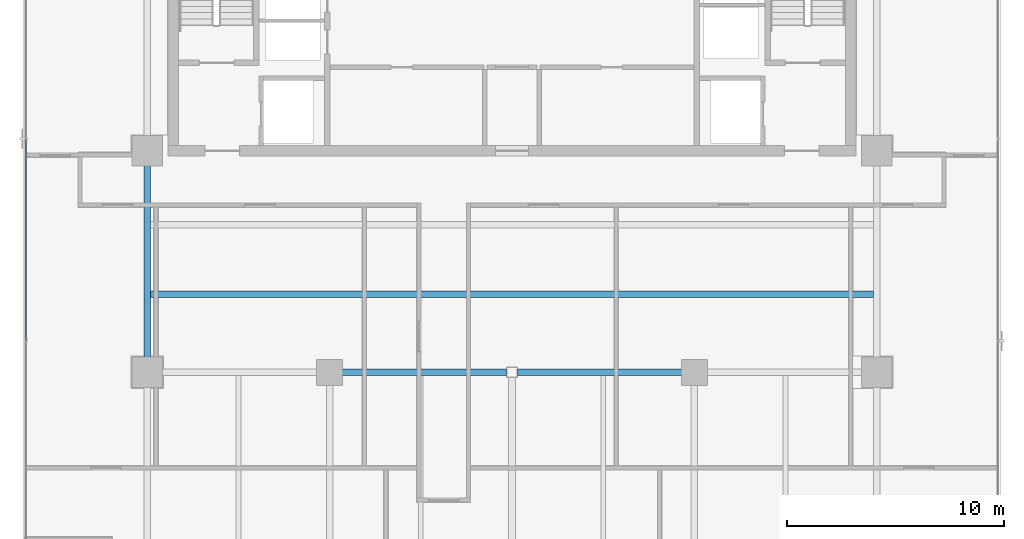
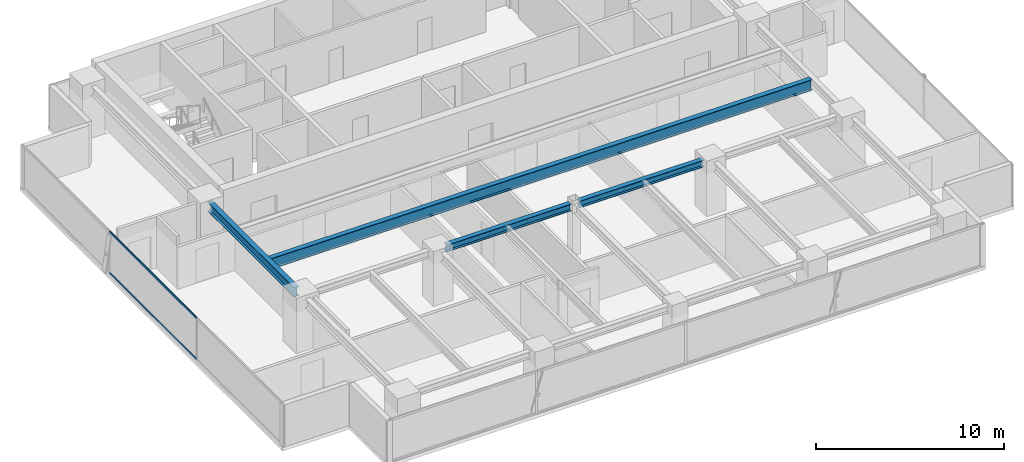
# One storey, part 8 of 26: 4 beams, 2 members, 1 element without a shape of its own.
"""IFC4 building model written with IfcOpenShell, lengths in metres."""

from ifc_helpers import new_model, si_unit, direction, frame, origin, origin_2d, place, context, subcontext, project, spatial, hollow_rectangle, i_section, extrude, source, transform, mapped, material, layer, layer_set, material_profile, profile_set, type_object, element, aggregate, save


model = new_model("IFC4")

# Units and contexts
model_context = context("Model", 3, precision=1e-05, world=origin(), true_north=direction((0.0, 1.0)))
body_context = subcontext(model_context, "Body", "Model", "MODEL_VIEW")
ifc_project = project(units=[si_unit("LENGTHUNIT", "METRE"), si_unit("AREAUNIT", "SQUARE_METRE"), si_unit("VOLUMEUNIT", "CUBIC_METRE"), si_unit("PLANEANGLEUNIT", "RADIAN"), si_unit("MASSUNIT", "GRAM", prefix="KILO")], contexts=[model_context])

# Site, building, storey
site_placement = place(None, origin())
site = spatial("IfcSite", under=ifc_project, at=site_placement, CompositionType="ELEMENT")
building_placement = place(site_placement, origin())
building = spatial("IfcBuilding", under=site, at=building_placement, Name="Sumidabori Civic Tower", CompositionType="ELEMENT")
storey_placement = place(building_placement, frame((0.0, 0.0, 264.800048828125)))
storey = spatial("IfcBuildingStorey", under=building, at=storey_placement, Name="L69", CompositionType="ELEMENT", Elevation=264.800048828125)

# Beams
ifc_material_1 = material(Name="Steel SN490", Category="steel")
ifc_material_profile_1 = material_profile(ifc_material_1, i_section(OverallWidth=0.300048828125, OverallDepth=0.60009765625, WebThickness=0.015380859375, FlangeThickness=0.030029296875, at=origin_2d()), Name="HE 600 B")
ifc_profile_set_1 = profile_set([ifc_material_profile_1], Name="Steel SN490")
beam_type_1 = type_object("IfcBeamType", Name="BM-GIRD-600", PredefinedType="BEAM", material=ifc_profile_set_1)
shared_shape_1 = source(origin(), body_context, "Body", "SweptSolid", [
    extrude(i_section(OverallWidth=0.300048828125, OverallDepth=0.60009765625, WebThickness=0.015380859375, FlangeThickness=0.030029296875, at=origin_2d()), origin(), (0.0, 0.0, 1.0), 9.239990234375),
])
beam_1_placement = place(storey_placement, frame((-16.800048828125, 0.47998046875, 3.070068359375), z_axis=(0.0, 1.0, 0.0), x_axis=(-1.0, 0.0, 0.0)))
element("IfcBeam", 1, at=beam_1_placement, inside=storey, type_object=beam_type_1, Name="Primary Girder L69 GY-10", PredefinedType="BEAM", context=body_context, shape_type="MappedRepresentation", body=[
    mapped(shared_shape_1, transform((0.0, 0.0, 0.0), x_axis=(1.0, 0.0, 0.0), y_axis=(0.0, 1.0, 0.0), z_axis=(0.0, 0.0, 1.0), scale=1.0)),
])
ifc_material_profile_2 = material_profile(ifc_material_1, i_section(OverallWidth=0.300048828125, OverallDepth=0.699951171875, WebThickness=0.01708984375, FlangeThickness=0.031982421875, at=origin_2d()), Name="HE 700 B")
ifc_profile_set_2 = profile_set([ifc_material_profile_2], Name="Steel SN490")
beam_type_2 = type_object("IfcBeamType", Name="BM-GIRD-700", PredefinedType="BEAM", material=ifc_profile_set_2)
shared_shape_2 = source(origin(), body_context, "Body", "SweptSolid", [
    extrude(i_section(OverallWidth=0.300048828125, OverallDepth=0.699951171875, WebThickness=0.01708984375, FlangeThickness=0.031982421875, at=origin_2d()), origin(), (0.0, 0.0, 1.0), 33.2998046875),
])
beam_2_placement = place(storey_placement, frame((-16.64990234375, 3.60009765625, 3.02001953125), z_axis=(1.0, 0.0, 0.0), x_axis=(0.0, 1.0, 0.0)))
element("IfcBeam", 2, at=beam_2_placement, inside=storey, type_object=beam_type_2, Name="North Bay Floor Beam L69 JSTN-18", PredefinedType="BEAM", context=body_context, shape_type="MappedRepresentation", body=[
    mapped(shared_shape_2, transform((0.0, 0.0, 0.0), x_axis=(1.0, 0.0, 0.0), y_axis=(0.0, 1.0, 0.0), z_axis=(0.0, 0.0, 1.0), scale=1.0)),
])
ifc_material_profile_3 = material_profile(ifc_material_1, i_section(OverallWidth=0.300048828125, OverallDepth=0.449951171875, WebThickness=0.013916015625, FlangeThickness=0.02587890625, at=origin_2d()), Name="HE 450 B")
ifc_profile_set_3 = profile_set([ifc_material_profile_3], Name="Steel SN490")
beam_type_3 = type_object("IfcBeamType", Name="BM-GIRD-450", PredefinedType="BEAM", material=ifc_profile_set_3)
shared_shape_3 = source(origin(), body_context, "Body", "SweptSolid", [
    extrude(i_section(OverallWidth=0.300048828125, OverallDepth=0.449951171875, WebThickness=0.013916015625, FlangeThickness=0.02587890625, at=origin_2d()), origin(), (0.0, 0.0, 1.0), 7.669921875),
])
for number, where, z_axis, x_axis, name in (
    (3, (-7.919921875, 0.0, 3.14501953125), (1.0, 0.0, 0.0), (0.0, 1.0, 0.0), "Primary Girder L69 GX-06"),
    (4, (0.25, 0.0, 3.14501953125), (1.0, 0.0, 0.0), (0.0, 1.0, 0.0), "Primary Girder L69 GX-07"),
):
    element("IfcBeam", number, at=place(storey_placement, frame(where, z_axis=z_axis, x_axis=x_axis)), inside=storey, type_object=beam_type_3, Name=name, PredefinedType="BEAM", context=body_context, shape_type="MappedRepresentation", body=[
        mapped(shared_shape_3, transform((0.0, 0.0, 0.0), x_axis=(1.0, 0.0, 0.0), y_axis=(0.0, 1.0, 0.0), z_axis=(0.0, 0.0, 1.0), scale=1.0)),
    ])

# Curtain wall, members
ifc_material_2 = material(Name="Anodised Bronze Aluminium AW-6063-T6", Category="aluminium")
ifc_layer = layer(ifc_material_2, 0.179931640625, Name="Anodised Bronze Aluminium AW-6063-T6")
ifc_layer_set = layer_set([ifc_layer], Name="Anodised Bronze Aluminium AW-6063-T6")
curtain_wall_type = type_object("IfcCurtainWallType", Name="CW-SYS-5", PredefinedType="NOTDEFINED", material=ifc_layer_set)
curtain_wall_placement = place(storey_placement, origin())
curtain_wall = element("IfcCurtainWall", 5, at=curtain_wall_placement, inside=storey, type_object=curtain_wall_type, Name="Curtain Wall CW:L69:R10", PredefinedType="NOTDEFINED")
ifc_material_profile_4 = material_profile(ifc_material_2, hollow_rectangle(XDim=0.06005859375, YDim=0.1298828125, WallThickness=0.0048828125, at=origin_2d()), Name="ALU TRANSOM 130x60")
ifc_profile_set_4 = profile_set([ifc_material_profile_4], Name="Anodised Bronze Aluminium AW-6063-T6")
member_type = type_object("IfcMemberType", Name="CW-TRN-130", PredefinedType="USERDEFINED", material=ifc_profile_set_4)
shared_shape_4 = source(origin(), body_context, "Body", "SweptSolid", [
    extrude(hollow_rectangle(XDim=0.06005859375, YDim=0.1298828125, WallThickness=0.0048828125, at=origin_2d()), origin(), (0.0, 0.0, 1.0), 9.253173828125),
])
member_1_placement = place(storey_placement, frame((-22.3798828125, 10.7265625, 0.030029296875), z_axis=(0.0, -1.0, 0.0), x_axis=(1.0, 0.0, 0.0)))
member_1 = element("IfcMember", 6, at=member_1_placement, type_object=member_type, Name="CW-5 transom 2.1", ObjectType="TRANSOM", PredefinedType="USERDEFINED", context=body_context, shape_type="MappedRepresentation", body=[
    mapped(shared_shape_4, transform((0.0, 0.0, 0.0), x_axis=(1.0, 0.0, 0.0), y_axis=(0.0, 1.0, 0.0), z_axis=(0.0, 0.0, 1.0), scale=1.0)),
])
member_2_placement = place(storey_placement, frame((-22.3798828125, 10.7265625, 2.719970703125), z_axis=(0.0, -1.0, 0.0), x_axis=(1.0, 0.0, 0.0)))
member_2 = element("IfcMember", 7, at=member_2_placement, type_object=member_type, Name="CW-5 transom 2.2", ObjectType="TRANSOM", PredefinedType="USERDEFINED", context=body_context, shape_type="MappedRepresentation", body=[
    mapped(shared_shape_4, transform((0.0, 0.0, 0.0), x_axis=(1.0, 0.0, 0.0), y_axis=(0.0, 1.0, 0.0), z_axis=(0.0, 0.0, 1.0), scale=1.0)),
])
aggregate(curtain_wall, [member_1, member_2])

save(model, "model.ifc")
